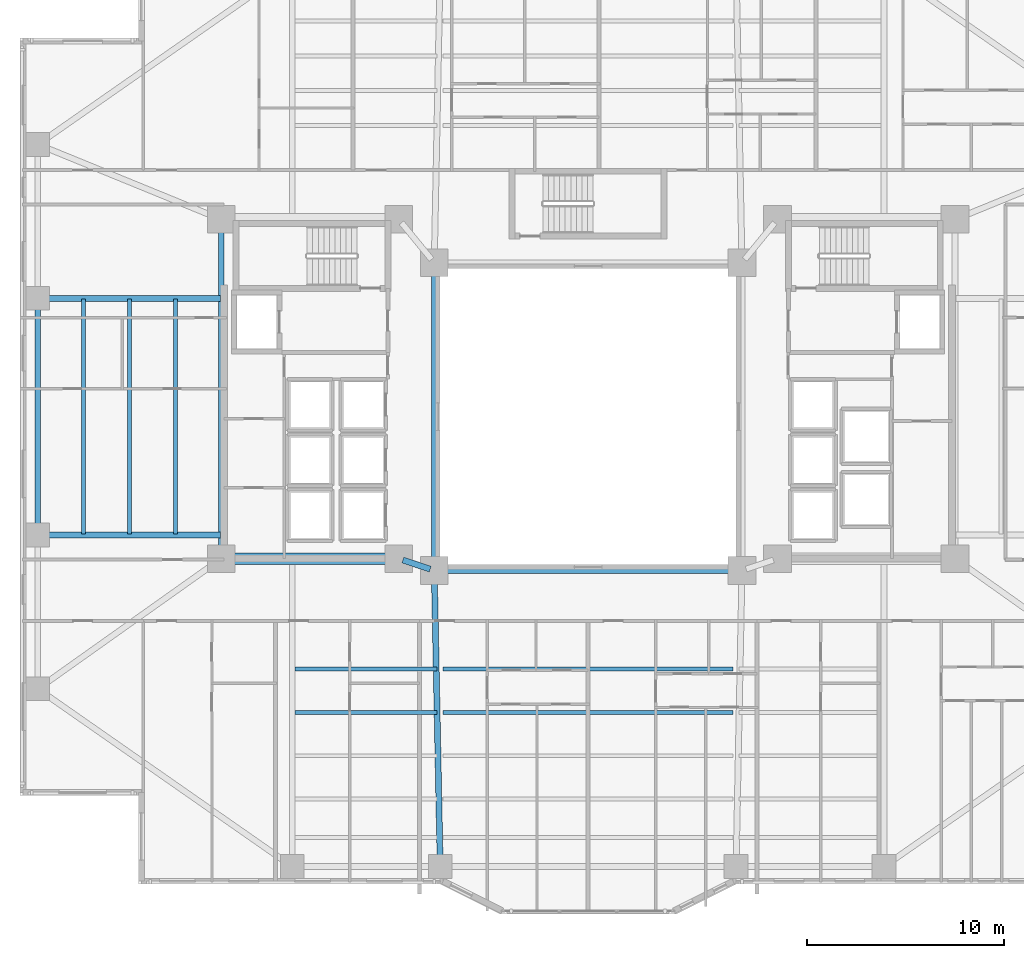
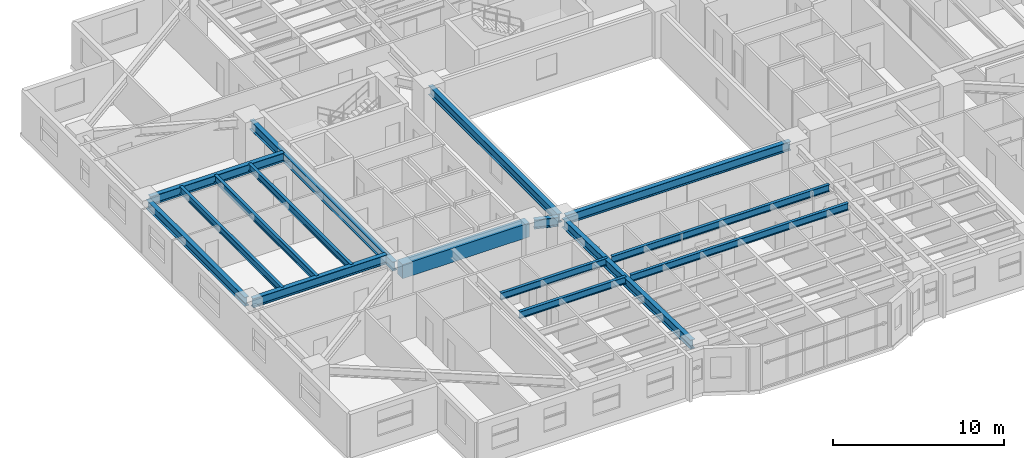
# One storey, part 3 of 22: 16 beams.
"""IFC4 building model written with IfcOpenShell, lengths in metres."""

from ifc_helpers import new_model, si_unit, direction, frame, origin, origin_2d, place, context, subcontext, project, spatial, rectangle, i_section, extrude, material, material_profile, profile_set, type_object, element, save


model = new_model("IFC4")

# Units and contexts
model_context = context("Model", 3, precision=1e-05, world=origin(), true_north=direction((0.0, 1.0)))
body_context = subcontext(model_context, "Body", "Model", "MODEL_VIEW")
ifc_project = project(units=[si_unit("LENGTHUNIT", "METRE"), si_unit("AREAUNIT", "SQUARE_METRE"), si_unit("VOLUMEUNIT", "CUBIC_METRE"), si_unit("PLANEANGLEUNIT", "RADIAN"), si_unit("MASSUNIT", "GRAM", prefix="KILO")], contexts=[model_context])

# Site, building, storey
site_placement = place(None, origin())
site = spatial("IfcSite", under=ifc_project, at=site_placement, CompositionType="ELEMENT")
building_placement = place(site_placement, origin())
building = spatial("IfcBuilding", under=site, at=building_placement, Name="Tarnavaz Court Tower", CompositionType="ELEMENT")
storey_placement = place(building_placement, frame((0.0, 0.0, 27.35009765625)))
storey = spatial("IfcBuildingStorey", under=building, at=storey_placement, Name="L06", CompositionType="ELEMENT", Elevation=27.35009765625)

# Beams
ifc_material_1 = material(Name="Concrete C60/75", Category="concrete")
ifc_material_profile_1 = material_profile(ifc_material_1, rectangle(XDim=0.60009765625, YDim=1.0, at=origin_2d()), Name="RC 600X1000")
ifc_profile_set_1 = profile_set([ifc_material_profile_1], Name="Concrete C60/75")
beam_type_1 = type_object("IfcBeamType", Name="BM-CB1000", PredefinedType="LINTEL", material=ifc_profile_set_1)
beam_1_placement = place(storey_placement, frame((-18.3798828125, -7.199951171875, 2.599853515625), z_axis=(1.0, 0.0, 0.0), x_axis=(0.0, 1.0, 0.0)))
element("IfcBeam", 1, at=beam_1_placement, inside=storey, type_object=beam_type_1, Name="L06 Beam IN-CW-SO-CW-SI", PredefinedType="LINTEL", context=body_context, shape_type="SweptSolid", body=[
    extrude(rectangle(XDim=0.60009765625, YDim=1.0, at=origin_2d()), origin(), (0.0, 0.0, 1.0), 8.559814453125),
])
ifc_material_2 = material(Name="Steel S355", Category="steel")
ifc_material_profile_2 = material_profile(ifc_material_2, i_section(OverallWidth=0.300048828125, OverallDepth=0.64990234375, WebThickness=0.01611328125, FlangeThickness=0.031005859375, FilletRadius=0.027099609375, at=origin_2d()), Name="HEB 650")
ifc_profile_set_2 = profile_set([ifc_material_profile_2], Name="Steel S355")
beam_type_2 = type_object("IfcBeamType", Name="BM-G-HEB650", PredefinedType="USERDEFINED", material=ifc_profile_set_2)
beam_2_placement = place(storey_placement, frame((-9.391357421875, -7.26953125, 2.77490234375), z_axis=(0.948666544706, -0.316278021615, 0.0), x_axis=(0.316278021615, 0.948666544706, 0.0)))
element("IfcBeam", 2, at=beam_2_placement, inside=storey, type_object=beam_type_2, Name="L06 Beam IN-CW-SI-IW-SW", ObjectType="GIRDER", PredefinedType="USERDEFINED", context=body_context, shape_type="SweptSolid", body=[
    extrude(i_section(OverallWidth=0.300048828125, OverallDepth=0.64990234375, WebThickness=0.01611328125, FlangeThickness=0.031005859375, FilletRadius=0.027099609375, at=origin_2d()), origin(), (0.0, 0.0, 1.0), 1.457275390625),
])
beam_3_placement = place(storey_placement, frame((-18.60009765625, -6.97998046875, 2.77490234375), z_axis=(0.0, 1.0, 0.0), x_axis=(-1.0, 0.0, 0.0)))
element("IfcBeam", 3, at=beam_3_placement, inside=storey, type_object=beam_type_2, Name="L06 Beam IN-CW-SO-CW-NO", ObjectType="GIRDER", PredefinedType="USERDEFINED", context=body_context, shape_type="SweptSolid", body=[
    extrude(i_section(OverallWidth=0.300048828125, OverallDepth=0.64990234375, WebThickness=0.01611328125, FlangeThickness=0.031005859375, FilletRadius=0.027099609375, at=origin_2d()), origin(), (0.0, 0.0, 1.0), 16.760009765625),
])
beam_4_placement = place(storey_placement, frame((-7.795654296875, -8.02001953125, 2.77490234375), z_axis=(0.020000023066, -0.999799979535, 0.0), x_axis=(0.999799979535, 0.020000023066, 0.0)))
element("IfcBeam", 4, at=beam_4_placement, inside=storey, type_object=beam_type_2, Name="L06 Beam RG-06", ObjectType="GIRDER", PredefinedType="USERDEFINED", context=body_context, shape_type="SweptSolid", body=[
    extrude(i_section(OverallWidth=0.300048828125, OverallDepth=0.64990234375, WebThickness=0.01611328125, FlangeThickness=0.031005859375, FilletRadius=0.027099609375, at=origin_2d()), origin(), (0.0, 0.0, 1.0), 14.56298828125),
])
for number, where, z_axis, x_axis, name in (
    (5, (-18.639892578125, -6.0, 2.77490234375), (-1.0, 0.0, 0.0), (0.0, -1.0, 0.0), "L06 Beam RG-13"),
    (6, (-18.639892578125, 6.0, 2.77490234375), (-1.0, 0.0, 0.0), (0.0, -1.0, 0.0), "L06 Beam RG-14"),
):
    element("IfcBeam", number, at=place(storey_placement, frame(where, z_axis=z_axis, x_axis=x_axis)), inside=storey, type_object=beam_type_2, Name=name, ObjectType="GIRDER", PredefinedType="USERDEFINED", context=body_context, shape_type="SweptSolid", body=[
        extrude(i_section(OverallWidth=0.300048828125, OverallDepth=0.64990234375, WebThickness=0.01611328125, FlangeThickness=0.031005859375, FilletRadius=0.027099609375, at=origin_2d()), origin(), (0.0, 0.0, 1.0), 9.0400390625),
    ])
ifc_material_profile_3 = material_profile(ifc_material_2, i_section(OverallWidth=0.199951171875, OverallDepth=0.5, WebThickness=0.01025390625, FlangeThickness=0.01611328125, FilletRadius=0.02099609375, at=origin_2d()), Name="IPE 500")
ifc_profile_set_3 = profile_set([ifc_material_profile_3], Name="Steel S355")
beam_type_3 = type_object("IfcBeamType", Name="BM-J-IPE500", PredefinedType="JOIST", material=ifc_profile_set_3)
beam_5_placement = place(storey_placement, frame((-14.85009765625, -12.7958984375, 2.849853515625), z_axis=(1.0, 0.0, 0.0), x_axis=(0.0, 1.0, 0.0)))
element("IfcBeam", 7, at=beam_5_placement, inside=storey, type_object=beam_type_3, Name="L06 Beam JS1-1", PredefinedType="JOIST", context=body_context, shape_type="SweptSolid", body=[
    extrude(i_section(OverallWidth=0.199951171875, OverallDepth=0.5, WebThickness=0.01025390625, FlangeThickness=0.01611328125, FilletRadius=0.02099609375, at=origin_2d()), origin(), (0.0, 0.0, 1.0), 7.2001953125),
])
beam_6_placement = place(storey_placement, frame((-7.35009765625, -12.7958984375, 2.849853515625), z_axis=(1.0, 0.0, 0.0), x_axis=(0.0, 1.0, 0.0)))
element("IfcBeam", 8, at=beam_6_placement, inside=storey, type_object=beam_type_3, Name="L06 Beam JS1-2", PredefinedType="JOIST", context=body_context, shape_type="SweptSolid", body=[
    extrude(i_section(OverallWidth=0.199951171875, OverallDepth=0.5, WebThickness=0.01025390625, FlangeThickness=0.01611328125, FilletRadius=0.02099609375, at=origin_2d()), origin(), (0.0, 0.0, 1.0), 14.7001953125),
])
beam_7_placement = place(storey_placement, frame((-14.85009765625, -14.991943359375, 2.849853515625), z_axis=(1.0, 0.0, 0.0), x_axis=(0.0, 1.0, 0.0)))
element("IfcBeam", 9, at=beam_7_placement, inside=storey, type_object=beam_type_3, Name="L06 Beam JS2-1", PredefinedType="JOIST", context=body_context, shape_type="SweptSolid", body=[
    extrude(i_section(OverallWidth=0.199951171875, OverallDepth=0.5, WebThickness=0.01025390625, FlangeThickness=0.01611328125, FilletRadius=0.02099609375, at=origin_2d()), origin(), (0.0, 0.0, 1.0), 7.2001953125),
])
beam_8_placement = place(storey_placement, frame((-7.35009765625, -14.991943359375, 2.849853515625), z_axis=(1.0, 0.0, 0.0), x_axis=(0.0, 1.0, 0.0)))
element("IfcBeam", 10, at=beam_8_placement, inside=storey, type_object=beam_type_3, Name="L06 Beam JS2-2", PredefinedType="JOIST", context=body_context, shape_type="SweptSolid", body=[
    extrude(i_section(OverallWidth=0.199951171875, OverallDepth=0.5, WebThickness=0.01025390625, FlangeThickness=0.01611328125, FilletRadius=0.02099609375, at=origin_2d()), origin(), (0.0, 0.0, 1.0), 14.7001953125),
])
for number, where, z_axis, x_axis, name in (
    (11, (-20.925048828125, -5.9599609375, 2.849853515625), (0.0, 1.0, 0.0), (-1.0, 0.0, 0.0), "L06 Beam JW1"),
    (12, (-23.25, -5.9599609375, 2.849853515625), (0.0, 1.0, 0.0), (-1.0, 0.0, 0.0), "L06 Beam JW2"),
    (13, (-25.574951171875, -5.9599609375, 2.849853515625), (0.0, 1.0, 0.0), (-1.0, 0.0, 0.0), "L06 Beam JW3"),
):
    element("IfcBeam", number, at=place(storey_placement, frame(where, z_axis=z_axis, x_axis=x_axis)), inside=storey, type_object=beam_type_3, Name=name, PredefinedType="JOIST", context=body_context, shape_type="SweptSolid", body=[
        extrude(i_section(OverallWidth=0.199951171875, OverallDepth=0.5, WebThickness=0.01025390625, FlangeThickness=0.01611328125, FilletRadius=0.02099609375, at=origin_2d()), origin(), (0.0, 0.0, 1.0), 11.919921875),
    ])
ifc_material_profile_4 = material_profile(ifc_material_2, i_section(OverallWidth=0.300048828125, OverallDepth=0.639892578125, WebThickness=0.013427734375, FlangeThickness=0.02587890625, FilletRadius=0.027099609375, at=origin_2d()), Name="HEA 650")
ifc_profile_set_4 = profile_set([ifc_material_profile_4], Name="Steel S355")
beam_type_4 = type_object("IfcBeamType", Name="BM-SP-HEA650", PredefinedType="SPANDREL", material=ifc_profile_set_4)
for number, where, z_axis, x_axis, name in (
    (14, (-7.580078125, -7.800048828125, 2.77978515625), (1.0, 0.0, 0.0), (0.0, 1.0, 0.0), "L06 Beam IN-IW-SW-IW-SE"),
    (15, (-7.800048828125, -7.580078125, 2.77978515625), (0.0, 1.0, 0.0), (-1.0, 0.0, 0.0), "L06 Beam IN-IW-SW-IW-NW"),
):
    element("IfcBeam", number, at=place(storey_placement, frame(where, z_axis=z_axis, x_axis=x_axis)), inside=storey, type_object=beam_type_4, Name=name, PredefinedType="SPANDREL", context=body_context, shape_type="SweptSolid", body=[
        extrude(i_section(OverallWidth=0.300048828125, OverallDepth=0.639892578125, WebThickness=0.013427734375, FlangeThickness=0.02587890625, FilletRadius=0.027099609375, at=origin_2d()), origin(), (0.0, 0.0, 1.0), 15.16015625),
    ])
beam_9_placement = place(storey_placement, frame((-27.89990234375, -5.780029296875, 2.77978515625), z_axis=(0.0, 1.0, 0.0), x_axis=(-1.0, 0.0, 0.0)))
element("IfcBeam", 16, at=beam_9_placement, inside=storey, type_object=beam_type_4, Name="L06 Beam PR-PW-2-PW-3", PredefinedType="SPANDREL", context=body_context, shape_type="SweptSolid", body=[
    extrude(i_section(OverallWidth=0.300048828125, OverallDepth=0.639892578125, WebThickness=0.013427734375, FlangeThickness=0.02587890625, FilletRadius=0.027099609375, at=origin_2d()), origin(), (0.0, 0.0, 1.0), 11.56005859375),
])

save(model, "model.ifc")
